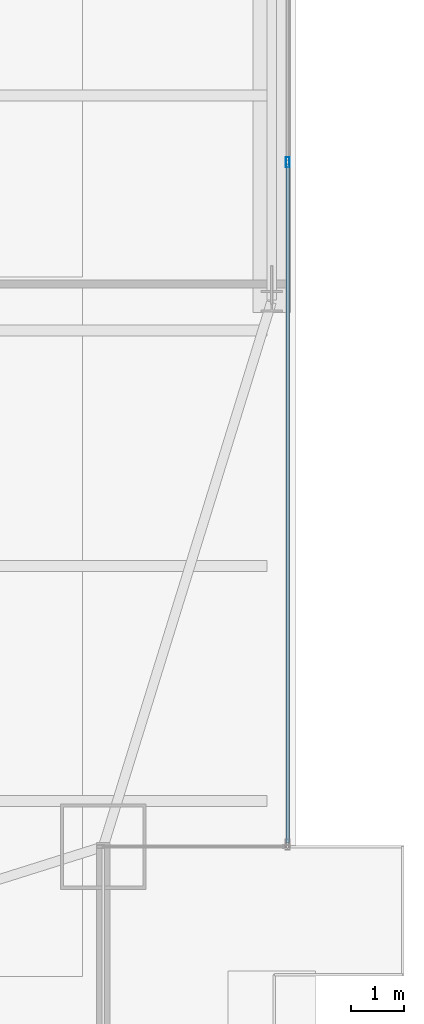
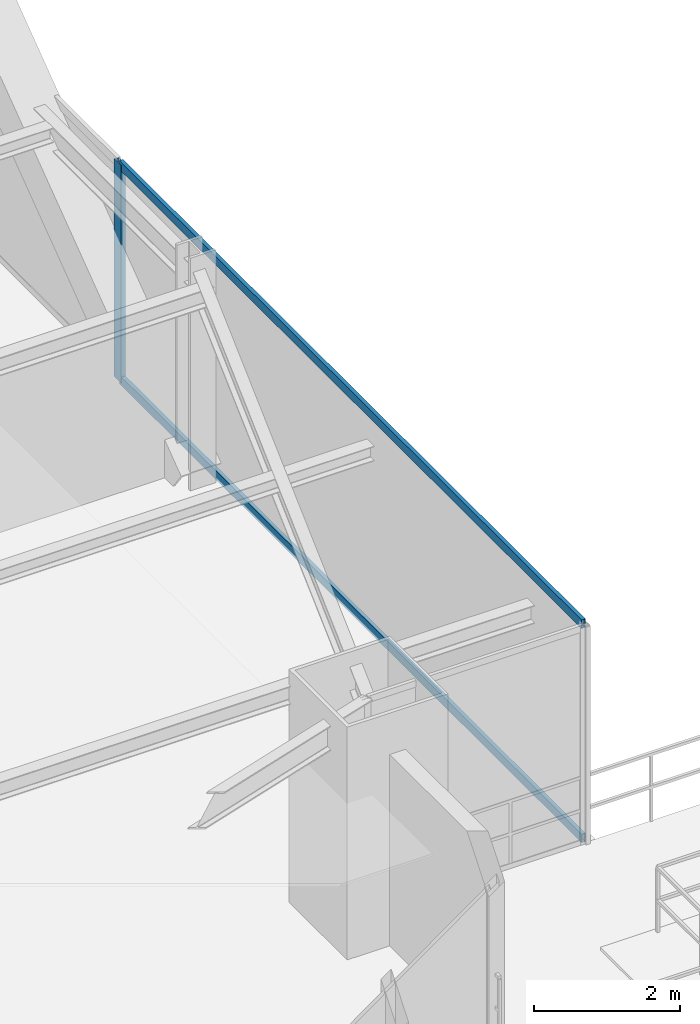
# One storey, part 23 of 34: 3 members, 1 element without a shape of its own.
"""IFC4 building model written with IfcOpenShell, lengths in metres."""

from ifc_helpers import new_model, si_unit, direction, frame, origin, origin_2d, place, context, subcontext, project, spatial, hollow_rectangle, extrude, source, transform, mapped, material, layer, layer_set, material_profile, profile_set, type_object, type_shapes, element, aggregate, save


model = new_model("IFC4")

# Units and contexts
model_context = context("Model", 3, precision=1e-05, world=origin(), true_north=direction((0.0, 1.0)))
body_context = subcontext(model_context, "Body", "Model", "MODEL_VIEW")
ifc_project = project(units=[si_unit("LENGTHUNIT", "METRE"), si_unit("AREAUNIT", "SQUARE_METRE"), si_unit("VOLUMEUNIT", "CUBIC_METRE"), si_unit("PLANEANGLEUNIT", "RADIAN"), si_unit("MASSUNIT", "GRAM", prefix="KILO")], contexts=[model_context])

# Site, building, storey
site_placement = place(None, origin())
site = spatial("IfcSite", under=ifc_project, at=site_placement, CompositionType="ELEMENT")
building_placement = place(site_placement, origin())
building = spatial("IfcBuilding", under=site, at=building_placement, Name="Varnel Quay Broadcast Tower", CompositionType="ELEMENT")
storey_placement = place(building_placement, frame((0.0, 0.0, 27.60009765625)))
storey = spatial("IfcBuildingStorey", under=building, at=storey_placement, Name="L05", CompositionType="ELEMENT", Elevation=27.60009765625)

# Curtain wall, members
ifc_material = material(Name="Anodised Bronze Aluminium 6063-T6", Category="aluminium")
ifc_layer = layer(ifc_material, 0.18994140625, Name="Anodised Bronze Aluminium 6063-T6")
ifc_layer_set = layer_set([ifc_layer], Name="Anodised Bronze Aluminium 6063-T6")
curtain_wall_type = type_object("IfcCurtainWallType", Name="CW_LowerTower", PredefinedType="NOTDEFINED", material=ifc_layer_set)
curtain_wall_placement = place(storey_placement, origin())
curtain_wall = element("IfcCurtainWall", 1, at=curtain_wall_placement, inside=storey, type_object=curtain_wall_type, Name="L05 East Unitised Curtain Wall", PredefinedType="NOTDEFINED")
ifc_material_profile_1 = material_profile(ifc_material, hollow_rectangle(XDim=0.070068359375, YDim=0.18994140625, WallThickness=0.00390625, at=origin_2d()), Name="ALU70X190X4")
ifc_profile_set_1 = profile_set([ifc_material_profile_1], Name="Anodised Bronze Aluminium 6063-T6")
member_type_1 = type_object("IfcMemberType", Name="Mull_CWS-02", PredefinedType="MULLION", material=ifc_profile_set_1)
shared_shape_1 = source(origin(), body_context, "Body", "SweptSolid", [
    extrude(hollow_rectangle(XDim=0.070068359375, YDim=0.18994140625, WallThickness=0.00390625, at=origin_2d()), origin(), (0.0, 0.0, 1.0), 3.64990234375),
])
type_shapes(member_type_1, [shared_shape_1])
member_1_placement = place(storey_placement, frame((65.85009765625, 17.60009765625, 0.0), z_axis=(0.0, 0.0, 1.0), x_axis=(-1.0, 0.0, 0.0)))
member_1 = element("IfcMember", 2, at=member_1_placement, type_object=member_type_1, Name="CWS-02 mullion 2", PredefinedType="MULLION", context=body_context, shape_type="MappedRepresentation", body=[
    mapped(shared_shape_1, transform((0.0, 0.0, 0.0), x_axis=(1.0, 0.0, 0.0), y_axis=(0.0, 1.0, 0.0), z_axis=(0.0, 0.0, 1.0), scale=1.0)),
])
ifc_material_profile_2 = material_profile(ifc_material, hollow_rectangle(XDim=0.06005859375, YDim=0.14501953125, WallThickness=0.00341796875, at=origin_2d()), Name="ALU60X145X3.5")
ifc_profile_set_2 = profile_set([ifc_material_profile_2], Name="Anodised Bronze Aluminium 6063-T6")
member_type_2 = type_object("IfcMemberType", Name="Tran_CWS-02", PredefinedType="USERDEFINED", material=ifc_profile_set_2)
shared_shape_2 = source(origin(), body_context, "Body", "SweptSolid", [
    extrude(hollow_rectangle(XDim=0.06005859375, YDim=0.14501953125, WallThickness=0.00341796875, at=origin_2d()), origin(), (0.0, 0.0, 1.0), 12.69482421875),
])
type_shapes(member_type_2, [shared_shape_2])
member_2_placement = place(storey_placement, frame((65.85009765625, 4.8701171875, 0.02978515625), z_axis=(0.0, 1.0, 0.0), x_axis=(-1.0, 0.0, 0.0)))
member_2 = element("IfcMember", 3, at=member_2_placement, type_object=member_type_2, Name="CWS-02 transom 1.1", ObjectType="TRANSOM", PredefinedType="USERDEFINED", context=body_context, shape_type="MappedRepresentation", body=[
    mapped(shared_shape_2, transform((0.0, 0.0, 0.0), x_axis=(1.0, 0.0, 0.0), y_axis=(0.0, 1.0, 0.0), z_axis=(0.0, 0.0, 1.0), scale=1.0)),
])
member_3_placement = place(storey_placement, frame((65.85009765625, 4.8701171875, 3.619873046875), z_axis=(0.0, 1.0, 0.0), x_axis=(-1.0, 0.0, 0.0)))
member_3 = element("IfcMember", 4, at=member_3_placement, type_object=member_type_2, Name="CWS-02 transom 1.2", ObjectType="TRANSOM", PredefinedType="USERDEFINED", context=body_context, shape_type="MappedRepresentation", body=[
    mapped(shared_shape_2, transform((0.0, 0.0, 0.0), x_axis=(1.0, 0.0, 0.0), y_axis=(0.0, 1.0, 0.0), z_axis=(0.0, 0.0, 1.0), scale=1.0)),
])
aggregate(curtain_wall, [member_1, member_2, member_3])

save(model, "model.ifc")
